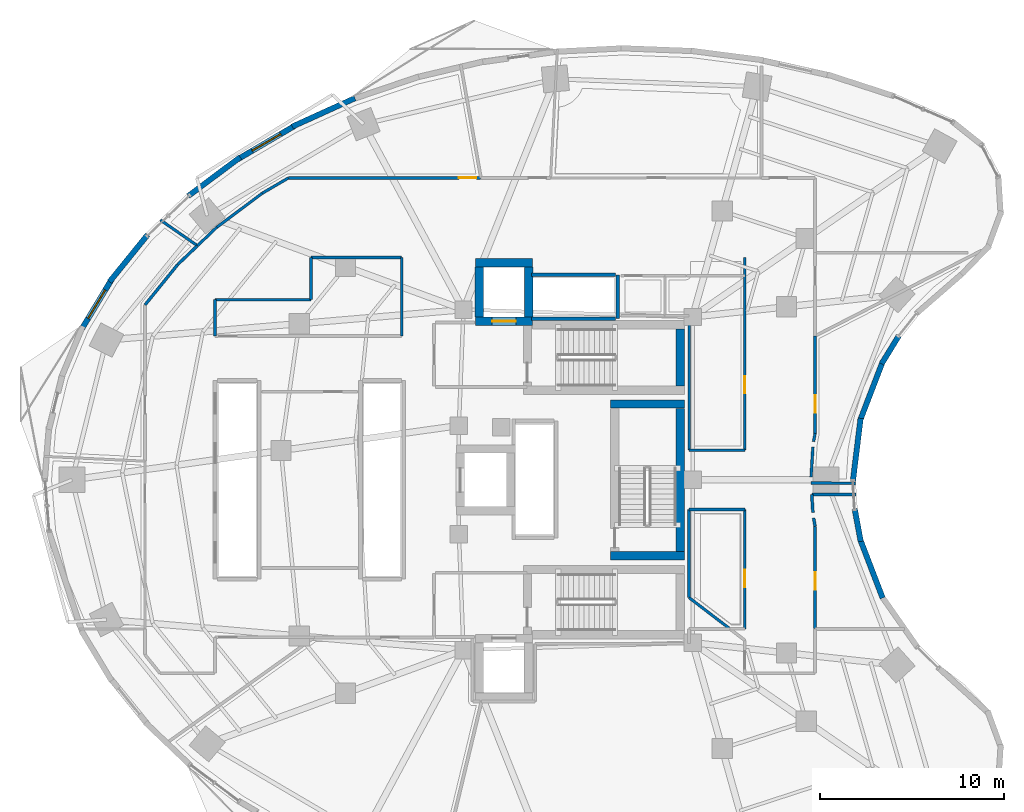
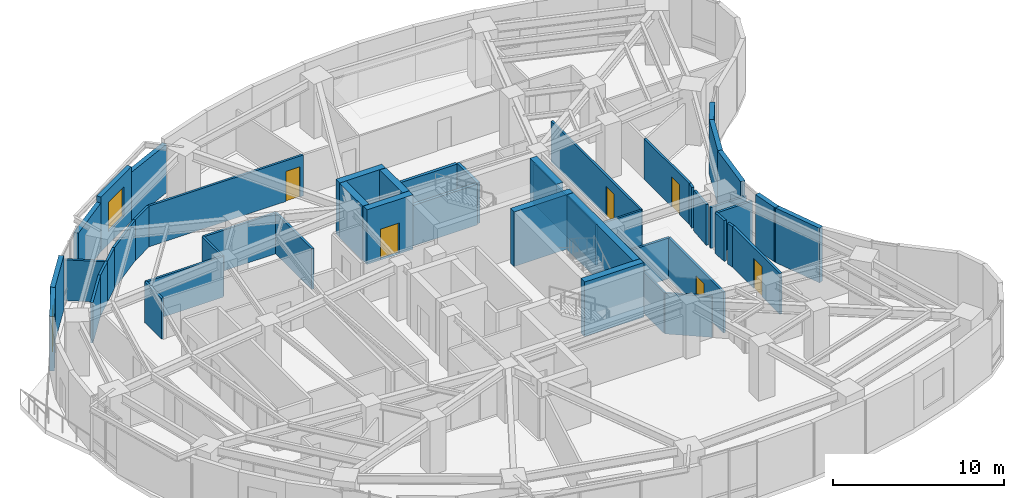
# One storey, part 10 of 15: 48 walls, 6 doors, 2 windows, 8 openings.
"""IFC4 building model written with IfcOpenShell, lengths in metres."""

from ifc_helpers import new_model, si_unit, direction, frame, frame_2d, origin, place, context, subcontext, project, spatial, rectangle, extrude, material, layer, layer_set, type_object, element, fill, save


model = new_model("IFC4")

# Units and contexts
model_context = context("Model", 3, precision=1e-05, world=origin(), true_north=direction((0.0, 1.0)))
body_context = subcontext(model_context, "Body", "Model", "MODEL_VIEW")
ifc_project = project(units=[si_unit("LENGTHUNIT", "METRE"), si_unit("AREAUNIT", "SQUARE_METRE"), si_unit("VOLUMEUNIT", "CUBIC_METRE"), si_unit("PLANEANGLEUNIT", "RADIAN"), si_unit("MASSUNIT", "GRAM", prefix="KILO")], contexts=[model_context])

# Site, building, storey
site_placement = place(None, origin())
site = spatial("IfcSite", under=ifc_project, at=site_placement, CompositionType="ELEMENT")
building_placement = place(site_placement, origin())
building = spatial("IfcBuilding", under=site, at=building_placement, Name="Korentha Bioscience Tower", CompositionType="ELEMENT")
storey_placement = place(building_placement, frame((0.0, 0.0, 34.199951171875)))
storey = spatial("IfcBuildingStorey", under=building, at=storey_placement, Name="L07", CompositionType="ELEMENT", Elevation=34.199951171875)

# Wall, opening, door
ifc_material_1 = material(Name="Double-Stud Acoustic Gypsum", Category="gypsum")
ifc_layer_1 = layer(ifc_material_1, 0.14990234375, Name="Double-Stud Acoustic Gypsum")
ifc_layer_set_1 = layer_set([ifc_layer_1], Name="Double-Stud Acoustic Gypsum (IW-L150)")
wall_type_1 = type_object("IfcWallType", Name="Acoustic Laboratory Partition Wall 150", PredefinedType="PARTITIONING", material=ifc_layer_set_1)
wall_1_placement = place(storey_placement, frame((40.389892578125, 25.389892578125, 0.0), z_axis=(0.0, 0.0, 1.0), x_axis=(0.0, -1.0, 0.0)))
wall_1 = element("IfcWall", 1, at=wall_1_placement, inside=storey, type_object=wall_type_1, Name="L07 Terrace View Refreshment Lounge 06 Entrance Wall", PredefinedType="PARTITIONING", context=body_context, shape_type="SweptSolid", body=[
    extrude(rectangle(XDim=6.48779296875, YDim=0.14990234375, at=frame_2d((3.243896484375, 0.0))), origin(), (0.0, 0.0, 1.0), 2.91015625),
])
opening_1_placement = place(wall_1_placement, frame((3.265380859375, 0.0, 0.0)))
opening_1 = element("IfcOpeningElement", 2, at=opening_1_placement, cuts=wall_1, Name="Opening ID-10R", PredefinedType="OPENING", context=body_context, shape_type="SweptSolid", body=[
    extrude(rectangle(XDim=0.949951171875, YDim=2.14990234375, at=frame_2d((0.47509765625, 1.074951171875))), frame((0.0, 0.08984375, 0.0), z_axis=(0.0, -1.0, 0.0), x_axis=(1.0, 0.0, 0.0)), (0.0, 0.0, 1.0), 0.1796875),
])
ifc_material_2 = material(Name="Phenolic Laminate Timber Core", Category="wood")
door_type_1 = type_object("IfcDoorType", Name="Laboratory Single Leaf Door 950x2150 Right", OperationType="SINGLE_SWING_RIGHT", PredefinedType="DOOR", material=ifc_material_2)
door_1_placement = place(opening_1_placement, origin())
door_1 = element("IfcDoor", 3, at=door_1_placement, inside=storey, type_object=door_type_1, Name="L07 Terrace View Refreshment Lounge 06 Door", OperationType="SINGLE_SWING_RIGHT", OverallHeight=2.14990234375, OverallWidth=0.949951171875, PredefinedType="DOOR", context=body_context, shape_type="SweptSolid", body=[
    extrude(rectangle(XDim=0.949951171875, YDim=2.14990234375, at=frame_2d((0.47509765625, 1.074951171875))), frame((0.0, 0.02490234375, 0.0), z_axis=(0.0, -1.0, 0.0), x_axis=(1.0, 0.0, 0.0)), (0.0, 0.0, 1.0), 0.050048828125),
])
fill(opening_1, door_1)

wall_2_placement = place(storey_placement, frame((44.2099609375, 29.529541015625, 0.0), z_axis=(0.0, 0.0, 1.0), x_axis=(0.0, 1.0, 0.0)))
wall_2 = element("IfcWall", 4, at=wall_2_placement, inside=storey, type_object=wall_type_1, Name="L07 Engineered Bio-Foundry Wet Lab 08 Entrance Wall", PredefinedType="PARTITIONING", context=body_context, shape_type="SweptSolid", body=[
    extrude(rectangle(XDim=5.2890625, YDim=0.14990234375, at=frame_2d((2.64453125, 0.0))), origin(), (0.0, 0.0, 1.0), 2.91015625),
])
opening_2_placement = place(wall_2_placement, frame((1.11865234375, 0.0, 0.0)))
opening_2 = element("IfcOpeningElement", 5, at=opening_2_placement, cuts=wall_2, Name="Opening ID-10R", PredefinedType="OPENING", context=body_context, shape_type="SweptSolid", body=[
    extrude(rectangle(XDim=0.949951171875, YDim=2.14990234375, at=frame_2d((0.47509765625, 1.074951171875))), frame((0.0, 0.08984375, 0.0), z_axis=(0.0, -1.0, 0.0), x_axis=(1.0, 0.0, 0.0)), (0.0, 0.0, 1.0), 0.1796875),
])
door_2_placement = place(opening_2_placement, origin())
door_2 = element("IfcDoor", 6, at=door_2_placement, inside=storey, type_object=door_type_1, Name="L07 Engineered Bio-Foundry Wet Lab 08 Door", OperationType="SINGLE_SWING_RIGHT", OverallHeight=2.14990234375, OverallWidth=0.949951171875, PredefinedType="DOOR", context=body_context, shape_type="SweptSolid", body=[
    extrude(rectangle(XDim=0.949951171875, YDim=2.14990234375, at=frame_2d((0.47509765625, 1.074951171875))), frame((0.0, 0.02490234375, 0.0), z_axis=(0.0, -1.0, 0.0), x_axis=(1.0, 0.0, 0.0)), (0.0, 0.0, 1.0), 0.050048828125),
])
fill(opening_2, door_2)

wall_3_placement = place(storey_placement, frame((26.0380859375, 43.409912109375, 0.0), z_axis=(0.0, 0.0, 1.0), x_axis=(-1.0, 0.0, 0.0)))
wall_3 = element("IfcWall", 7, at=wall_3_placement, inside=storey, type_object=wall_type_1, Name="L07 Ethics and Biosafety Briefing Room 14 Entrance Wall", PredefinedType="PARTITIONING", context=body_context, shape_type="SweptSolid", body=[
    extrude(rectangle(XDim=10.447265625, YDim=0.14990234375, at=frame_2d((5.2236328125, 0.0))), origin(), (0.0, 0.0, 1.0), 2.91015625),
])
opening_3_placement = place(wall_3_placement, frame((0.239990234375, 0.0, 0.0)))
opening_3 = element("IfcOpeningElement", 8, at=opening_3_placement, cuts=wall_3, Name="Opening ID-10R", PredefinedType="OPENING", context=body_context, shape_type="SweptSolid", body=[
    extrude(rectangle(XDim=0.949951171875, YDim=2.14990234375, at=frame_2d((0.47509765625, 1.074951171875))), frame((0.0, 0.08984375, 0.0), z_axis=(0.0, -1.0, 0.0), x_axis=(1.0, 0.0, 0.0)), (0.0, 0.0, 1.0), 0.1796875),
])
door_3_placement = place(opening_3_placement, origin())
door_3 = element("IfcDoor", 9, at=door_3_placement, inside=storey, type_object=door_type_1, Name="L07 Ethics and Biosafety Briefing Room 14 Door", OperationType="SINGLE_SWING_RIGHT", OverallHeight=2.14990234375, OverallWidth=0.949951171875, PredefinedType="DOOR", context=body_context, shape_type="SweptSolid", body=[
    extrude(rectangle(XDim=0.949951171875, YDim=2.14990234375, at=frame_2d((0.47509765625, 1.074951171875))), frame((0.0, 0.02490234375, 0.0), z_axis=(0.0, -1.0, 0.0), x_axis=(1.0, 0.0, 0.0)), (0.0, 0.0, 1.0), 0.050048828125),
])
fill(opening_3, door_3)

# Walls
wall_4_placement = place(storey_placement, frame((39.57177734375, 18.907958984375, 0.0), z_axis=(0.0, 0.0, 1.0), x_axis=(-0.794673946055, 0.607036505872, 0.0)))
element("IfcWall", 10, at=wall_4_placement, inside=storey, type_object=wall_type_1, Name="L07 Interior Partition 040", PredefinedType="PARTITIONING", context=body_context, shape_type="SweptSolid", body=[
    extrude(rectangle(XDim=2.783203125, YDim=0.14990234375, at=frame_2d((1.3916015625, 0.0))), origin(), (0.0, 0.0, 1.0), 2.91015625),
])
wall_5_placement = place(storey_placement, frame((37.360107421875, 20.597412109375, 0.0), z_axis=(0.0, 0.0, 1.0), x_axis=(0.0, 1.0, 0.0)))
element("IfcWall", 11, at=wall_5_placement, inside=storey, type_object=wall_type_1, Name="L07 Interior Partition 041", PredefinedType="PARTITIONING", context=body_context, shape_type="SweptSolid", body=[
    extrude(rectangle(XDim=4.79248046875, YDim=0.14990234375, at=frame_2d((2.396240234375, 0.0))), origin(), (0.0, 0.0, 1.0), 2.91015625),
])
wall_6_placement = place(storey_placement, frame((37.360107421875, 25.389892578125, 0.0), z_axis=(0.0, 0.0, 1.0), x_axis=(1.0, 0.0, 0.0)))
element("IfcWall", 12, at=wall_6_placement, inside=storey, type_object=wall_type_1, Name="L07 Interior Partition 042", PredefinedType="PARTITIONING", context=body_context, shape_type="SweptSolid", body=[
    extrude(rectangle(XDim=3.02978515625, YDim=0.14990234375, at=frame_2d((1.514892578125, 0.0))), origin(), (0.0, 0.0, 1.0), 2.91015625),
])
wall_7_placement = place(storey_placement, frame((46.40673828125, 26.806396484375, 0.0), z_axis=(0.0, 0.0, 1.0), x_axis=(-0.999937073851, 0.011218214594, 0.0)))
element("IfcWall", 13, at=wall_7_placement, inside=storey, type_object=wall_type_1, Name="L07 Interior Partition 047", PredefinedType="PARTITIONING", context=body_context, shape_type="SweptSolid", body=[
    extrude(rectangle(XDim=2.415771484375, YDim=0.14990234375, at=frame_2d((1.2080078125, 0.0))), origin(), (0.0, 0.0, 1.0), 2.91015625),
])
wall_8_placement = place(storey_placement, frame((43.990234375, 27.1484375, 0.0), z_axis=(0.0, 0.0, 1.0), x_axis=(0.060976688407, 0.998139190429, 0.0)))
element("IfcWall", 14, at=wall_8_placement, inside=storey, type_object=wall_type_1, Name="L07 Interior Partition 048", PredefinedType="PARTITIONING", context=body_context, shape_type="SweptSolid", body=[
    extrude(rectangle(XDim=1.637451171875, YDim=0.14990234375, at=frame_2d((0.81884765625, 0.0))), origin(), (0.0, 0.0, 1.0), 2.91015625),
])
wall_9_placement = place(storey_placement, frame((44.12646484375, 29.077880859375, 0.0), z_axis=(0.0, 0.0, 1.0), x_axis=(0.181936414242, 0.983310297502, 0.0)))
element("IfcWall", 15, at=wall_9_placement, inside=storey, type_object=wall_type_1, Name="L07 Interior Partition 049", PredefinedType="PARTITIONING", context=body_context, shape_type="SweptSolid", body=[
    extrude(rectangle(XDim=0.45751953125, YDim=0.14990234375, at=frame_2d((0.228759765625, 0.0))), origin(), (0.0, 0.0, 1.0), 2.91015625),
])
wall_10_placement = place(storey_placement, frame((15.585693359375, 43.40869140625, 0.0), z_axis=(0.0, 0.0, 1.0), x_axis=(-0.862446636904, -0.506148000582, 0.0)))
element("IfcWall", 16, at=wall_10_placement, inside=storey, type_object=wall_type_1, Name="L07 Interior Partition 062", PredefinedType="PARTITIONING", context=body_context, shape_type="SweptSolid", body=[
    extrude(rectangle(XDim=1.652099609375, YDim=0.14990234375, at=frame_2d((0.826171875, 0.0))), origin(), (0.0, 0.0, 1.0), 2.91015625),
])
wall_11_placement = place(storey_placement, frame((14.159912109375, 42.57177734375, 0.0), z_axis=(0.0, 0.0, 1.0), x_axis=(-0.800808090092, -0.598921032227, 0.0)))
element("IfcWall", 17, at=wall_11_placement, inside=storey, type_object=wall_type_1, Name="L07 Interior Partition 063", PredefinedType="PARTITIONING", context=body_context, shape_type="SweptSolid", body=[
    extrude(rectangle(XDim=3.078857421875, YDim=0.14990234375, at=frame_2d((1.53955078125, 0.0))), origin(), (0.0, 0.0, 1.0), 2.91015625),
])
wall_12_placement = place(storey_placement, frame((11.693359375, 40.72705078125, 0.0), z_axis=(0.0, 0.0, 1.0), x_axis=(-0.723614682185, -0.690204166697, 0.0)))
element("IfcWall", 18, at=wall_12_placement, inside=storey, type_object=wall_type_1, Name="L07 Interior Partition 064", PredefinedType="PARTITIONING", context=body_context, shape_type="SweptSolid", body=[
    extrude(rectangle(XDim=1.4541015625, YDim=0.14990234375, at=frame_2d((0.72705078125, 0.0))), origin(), (0.0, 0.0, 1.0), 2.91015625),
])
wall_13_placement = place(storey_placement, frame((10.64111328125, 39.723388671875, 0.0), z_axis=(0.0, 0.0, 1.0), x_axis=(-0.821561492386, 0.570119912149, 0.0)))
element("IfcWall", 19, at=wall_13_placement, inside=storey, type_object=wall_type_1, Name="L07 Interior Partition 065", PredefinedType="PARTITIONING", context=body_context, shape_type="SweptSolid", body=[
    extrude(rectangle(XDim=2.45458984375, YDim=0.14990234375, at=frame_2d((1.227294921875, 0.0))), origin(), (0.0, 0.0, 1.0), 2.91015625),
])
wall_14_placement = place(storey_placement, frame((16.81005859375, 39.090087890625, 0.0), z_axis=(0.0, 0.0, 1.0), x_axis=(1.0, 0.0, 0.0)))
element("IfcWall", 20, at=wall_14_placement, inside=storey, type_object=wall_type_1, Name="L07 Interior Partition 066", PredefinedType="PARTITIONING", context=body_context, shape_type="SweptSolid", body=[
    extrude(rectangle(XDim=4.929931640625, YDim=0.14990234375, at=frame_2d((2.46484375, 0.0))), origin(), (0.0, 0.0, 1.0), 2.91015625),
])
wall_15_placement = place(storey_placement, frame((21.739990234375, 39.090087890625, 0.0), z_axis=(0.0, 0.0, 1.0), x_axis=(0.0, -1.0, 0.0)))
element("IfcWall", 21, at=wall_15_placement, inside=storey, type_object=wall_type_1, Name="L07 Interior Partition 067", PredefinedType="PARTITIONING", context=body_context, shape_type="SweptSolid", body=[
    extrude(rectangle(XDim=4.280029296875, YDim=0.14990234375, at=frame_2d((2.14013671875, 0.0))), origin(), (0.0, 0.0, 1.0), 2.91015625),
])
wall_16_placement = place(storey_placement, frame((11.590087890625, 34.81005859375, 0.0), z_axis=(0.0, 0.0, 1.0), x_axis=(0.0, 1.0, 0.0)))
element("IfcWall", 22, at=wall_16_placement, inside=storey, type_object=wall_type_1, Name="L07 Interior Partition 068", PredefinedType="PARTITIONING", context=body_context, shape_type="SweptSolid", body=[
    extrude(rectangle(XDim=1.97998046875, YDim=0.14990234375, at=frame_2d((0.989990234375, 0.0))), origin(), (0.0, 0.0, 1.0), 2.91015625),
])
wall_17_placement = place(storey_placement, frame((11.590087890625, 36.7900390625, 0.0), z_axis=(0.0, 0.0, 1.0), x_axis=(1.0, 0.0, 0.0)))
element("IfcWall", 23, at=wall_17_placement, inside=storey, type_object=wall_type_1, Name="L07 Interior Partition 069", PredefinedType="PARTITIONING", context=body_context, shape_type="SweptSolid", body=[
    extrude(rectangle(XDim=5.2099609375, YDim=0.14990234375, at=frame_2d((2.60498046875, 0.0))), origin(), (0.0, 0.0, 1.0), 2.91015625),
])
wall_18_placement = place(storey_placement, frame((16.81005859375, 36.800048828125, 0.0), z_axis=(0.0, 0.0, 1.0), x_axis=(0.0, 1.0, 0.0)))
element("IfcWall", 24, at=wall_18_placement, inside=storey, type_object=wall_type_1, Name="L07 Interior Partition 070", PredefinedType="PARTITIONING", context=body_context, shape_type="SweptSolid", body=[
    extrude(rectangle(XDim=2.2900390625, YDim=0.14990234375, at=frame_2d((1.14501953125, 0.0))), origin(), (0.0, 0.0, 1.0), 2.91015625),
])

# Wall, opening, door
ifc_material_3 = material(Name="Insulated Aluminium Honeycomb Panel", Category="aluminium")
ifc_layer_2 = layer(ifc_material_3, 0.139892578125, Name="Insulated Aluminium Honeycomb Panel")
ifc_layer_set_2 = layer_set([ifc_layer_2], Name="Insulated Aluminium Honeycomb Panel (IW-F60)")
wall_type_2 = type_object("IfcWallType", Name="Cleanroom Flush Metal Panel Partition 140", PredefinedType="PARTITIONING", material=ifc_layer_set_2)
wall_19_placement = place(storey_placement, frame((40.389892578125, 39.090087890625, 0.0), z_axis=(0.0, 0.0, 1.0), x_axis=(0.0, -1.0, 0.0)))
wall_19 = element("IfcWall", 25, at=wall_19_placement, inside=storey, type_object=wall_type_2, Name="L07 Microfluidics Biochip Cleanroom 10 Entrance Wall", PredefinedType="PARTITIONING", context=body_context, shape_type="SweptSolid", body=[
    extrude(rectangle(XDim=10.47998046875, YDim=0.139892578125, at=frame_2d((5.239990234375, 0.0))), origin(), (0.0, 0.0, 1.0), 2.91015625),
])
opening_4_placement = place(wall_19_placement, frame((6.447265625, 0.0, 0.0)))
opening_4 = element("IfcOpeningElement", 26, at=opening_4_placement, cuts=wall_19, Name="Opening ID-10R", PredefinedType="OPENING", context=body_context, shape_type="SweptSolid", body=[
    extrude(rectangle(XDim=0.949951171875, YDim=2.14990234375, at=frame_2d((0.47509765625, 1.074951171875))), frame((0.0, 0.0849609375, 0.0), z_axis=(0.0, -1.0, 0.0), x_axis=(1.0, 0.0, 0.0)), (0.0, 0.0, 1.0), 0.169677734375),
])
door_4_placement = place(opening_4_placement, origin())
door_4 = element("IfcDoor", 27, at=door_4_placement, inside=storey, type_object=door_type_1, Name="L07 Microfluidics Biochip Cleanroom 10 Door", OperationType="SINGLE_SWING_RIGHT", OverallHeight=2.14990234375, OverallWidth=0.949951171875, PredefinedType="DOOR", context=body_context, shape_type="SweptSolid", body=[
    extrude(rectangle(XDim=0.949951171875, YDim=2.14990234375, at=frame_2d((0.47509765625, 1.074951171875))), frame((0.0, 0.02490234375, 0.0), z_axis=(0.0, -1.0, 0.0), x_axis=(1.0, 0.0, 0.0)), (0.0, 0.0, 1.0), 0.050048828125),
])
fill(opening_4, door_4)

# Walls
wall_20_placement = place(storey_placement, frame((40.389892578125, 28.610107421875, 0.0), z_axis=(0.0, 0.0, 1.0), x_axis=(-1.0, 0.0, 0.0)))
element("IfcWall", 28, at=wall_20_placement, inside=storey, type_object=wall_type_2, Name="L07 Interior Partition 055", PredefinedType="PARTITIONING", context=body_context, shape_type="SweptSolid", body=[
    extrude(rectangle(XDim=3.02978515625, YDim=0.139892578125, at=frame_2d((1.514892578125, 0.0))), origin(), (0.0, 0.0, 1.0), 2.91015625),
])
wall_21_placement = place(storey_placement, frame((37.360107421875, 28.610107421875, 0.0), z_axis=(0.0, 0.0, 1.0), x_axis=(0.0, 1.0, 0.0)))
element("IfcWall", 29, at=wall_21_placement, inside=storey, type_object=wall_type_2, Name="L07 Interior Partition 056", PredefinedType="PARTITIONING", context=body_context, shape_type="SweptSolid", body=[
    extrude(rectangle(XDim=7.289794921875, YDim=0.139892578125, at=frame_2d((3.64501953125, 0.0))), origin(), (0.0, 0.0, 1.0), 2.91015625),
])

# Wall, opening, door
ifc_material_4 = material(Name="Gypsum-Clad Steel Stud", Category="steel")
ifc_layer_3 = layer(ifc_material_4, 0.159912109375, Name="Gypsum-Clad Steel Stud")
ifc_layer_set_3 = layer_set([ifc_layer_3], Name="Gypsum-Clad Steel Stud (IW-C160)")
wall_type_3 = type_object("IfcWallType", Name="Fire-Rated Corridor Partition Wall 160", PredefinedType="PARTITIONING", material=ifc_layer_set_3)
wall_22_placement = place(storey_placement, frame((44.2099609375, 18.907958984375, 0.0), z_axis=(0.0, 0.0, 1.0), x_axis=(0.0, 1.0, 0.0)))
wall_22 = element("IfcWall", 30, at=wall_22_placement, inside=storey, type_object=wall_type_3, Name="L07 Instrument Calibration Workshop 07 Entrance Wall", PredefinedType="PARTITIONING", context=body_context, shape_type="SweptSolid", body=[
    extrude(rectangle(XDim=5.5625, YDim=0.159912109375, at=frame_2d((2.78125, 0.0))), origin(), (0.0, 0.0, 1.0), 2.91015625),
])
opening_5_placement = place(wall_22_placement, frame((2.11376953125, 0.0, 0.0)))
opening_5 = element("IfcOpeningElement", 31, at=opening_5_placement, cuts=wall_22, Name="Opening ID-10L", PredefinedType="OPENING", context=body_context, shape_type="SweptSolid", body=[
    extrude(rectangle(XDim=0.949951171875, YDim=2.14990234375, at=frame_2d((0.47509765625, 1.074951171875))), frame((0.0, 0.0947265625, 0.0), z_axis=(0.0, -1.0, 0.0), x_axis=(1.0, 0.0, 0.0)), (0.0, 0.0, 1.0), 0.189697265625),
])
door_type_2 = type_object("IfcDoorType", Name="Laboratory Single Leaf Door 950x2150 Left", OperationType="SINGLE_SWING_LEFT", PredefinedType="DOOR", material=ifc_material_2)
door_5_placement = place(opening_5_placement, origin())
door_5 = element("IfcDoor", 32, at=door_5_placement, inside=storey, type_object=door_type_2, Name="L07 Instrument Calibration Workshop 07 Door", OperationType="SINGLE_SWING_LEFT", OverallHeight=2.14990234375, OverallWidth=0.949951171875, PredefinedType="DOOR", context=body_context, shape_type="SweptSolid", body=[
    extrude(rectangle(XDim=0.949951171875, YDim=2.14990234375, at=frame_2d((0.47509765625, 1.074951171875))), frame((0.0, 0.02490234375, 0.0), z_axis=(0.0, -1.0, 0.0), x_axis=(1.0, 0.0, 0.0)), (0.0, 0.0, 1.0), 0.050048828125),
])
fill(opening_5, door_5)

# Walls
wall_23_placement = place(storey_placement, frame((44.209716796875, 24.47216796875, 0.0), z_axis=(0.0, 0.0, 1.0), x_axis=(-0.181936414242, 0.983310297502, 0.0)))
element("IfcWall", 33, at=wall_23_placement, inside=storey, type_object=wall_type_3, Name="L07 Interior Partition 044", PredefinedType="PARTITIONING", context=body_context, shape_type="SweptSolid", body=[
    extrude(rectangle(XDim=0.45751953125, YDim=0.159912109375, at=frame_2d((0.228759765625, 0.0))), origin(), (0.0, 0.0, 1.0), 2.91015625),
])
wall_24_placement = place(storey_placement, frame((44.090087890625, 25.217041015625, 0.0), z_axis=(0.0, 0.0, 1.0), x_axis=(-0.060862570451, 0.998146155389, 0.0)))
element("IfcWall", 34, at=wall_24_placement, inside=storey, type_object=wall_type_3, Name="L07 Interior Partition 045", PredefinedType="PARTITIONING", context=body_context, shape_type="SweptSolid", body=[
    extrude(rectangle(XDim=0.982666015625, YDim=0.159912109375, at=frame_2d((0.4912109375, 0.0))), origin(), (0.0, 0.0, 1.0), 2.91015625),
])
wall_25_placement = place(storey_placement, frame((44.0302734375, 26.197998046875, 0.0), z_axis=(0.0, 0.0, 1.0), x_axis=(1.0, 0.0, 0.0)))
element("IfcWall", 35, at=wall_25_placement, inside=storey, type_object=wall_type_3, Name="L07 Interior Partition 046", PredefinedType="PARTITIONING", context=body_context, shape_type="SweptSolid", body=[
    extrude(rectangle(XDim=2.413818359375, YDim=0.159912109375, at=frame_2d((1.20703125, 0.0))), origin(), (0.0, 0.0, 1.0), 2.91015625),
])
wall_26_placement = place(storey_placement, frame((10.6337890625, 39.716552734375, 0.0), z_axis=(0.0, 0.0, 1.0), x_axis=(-0.723701031319, -0.690113626345, 0.0)))
element("IfcWall", 36, at=wall_26_placement, inside=storey, type_object=wall_type_3, Name="L07 Interior Partition 071", PredefinedType="PARTITIONING", context=body_context, shape_type="SweptSolid", body=[
    extrude(rectangle(XDim=1.4755859375, YDim=0.159912109375, at=frame_2d((0.73779296875, 0.0))), origin(), (0.0, 0.0, 1.0), 2.91015625),
])
wall_27_placement = place(storey_placement, frame((9.565185546875, 38.697265625, 0.0), z_axis=(0.0, 0.0, 1.0), x_axis=(-0.629270515505, -0.777186347227, 0.0)))
element("IfcWall", 37, at=wall_27_placement, inside=storey, type_object=wall_type_3, Name="L07 Interior Partition 072", PredefinedType="PARTITIONING", context=body_context, shape_type="SweptSolid", body=[
    extrude(rectangle(XDim=2.8173828125, YDim=0.159912109375, at=frame_2d((1.40869140625, 0.0))), origin(), (0.0, 0.0, 1.0), 2.91015625),
])

# Wall, opening, window
ifc_material_5 = material(Name="Honed Limestone Precast Concrete C40", Category="masonry")
ifc_layer_4 = layer(ifc_material_5, 0.300048828125, Name="Honed Limestone Precast Concrete C40")
ifc_layer_set_4 = layer_set([ifc_layer_4], Name="Honed Limestone Precast Concrete C40 (EW-ST300)")
wall_type_4 = type_object("IfcWallType", Name="Honed Limestone Cavity Spandrel Wall 300", PredefinedType="STANDARD", material=ifc_layer_set_4)
wall_28_placement = place(storey_placement, frame((15.943603515625, 46.25048828125, 0.0), z_axis=(0.0, 0.0, 1.0), x_axis=(-0.862473134325, -0.506102847817, 0.0)))
wall_28 = element("IfcWall", 38, at=wall_28_placement, inside=storey, type_object=wall_type_4, Name="L07 Honed Limestone Spandrel Wall 11", PredefinedType="STANDARD", context=body_context, shape_type="SweptSolid", body=[
    extrude(rectangle(XDim=3.59521484375, YDim=0.300048828125, at=frame_2d((1.797607421875, 0.0))), origin(), (0.0, 0.0, 1.0), 3.900146484375),
])
opening_6_placement = place(wall_28_placement, frame((0.897705078125, 0.0, 0.89990234375)))
opening_6 = element("IfcOpeningElement", 39, at=opening_6_placement, cuts=wall_28, Name="Opening WN-01", PredefinedType="OPENING", context=body_context, shape_type="SweptSolid", body=[
    extrude(rectangle(XDim=1.800048828125, YDim=2.10009765625, at=frame_2d((0.89990234375, 1.050048828125))), frame((0.0, 0.1650390625, 0.0), z_axis=(0.0, -1.0, 0.0), x_axis=(1.0, 0.0, 0.0)), (0.0, 0.0, 1.0), 0.329833984375),
])
ifc_material_6 = material(Name="Thermally Broken Aluminium Triple Glazing", Category="aluminium")
window_type = type_object("IfcWindowType", Name="Triple-Glazed Fixed Bioscience Window 1800x2100", PartitioningType="SINGLE_PANEL", PredefinedType="WINDOW", material=ifc_material_6)
window_1_placement = place(opening_6_placement, origin())
window_1 = element("IfcWindow", 40, at=window_1_placement, inside=storey, type_object=window_type, Name="L07 Facade Window 11", OverallHeight=2.10009765625, OverallWidth=1.800048828125, PartitioningType="SINGLE_PANEL", PredefinedType="WINDOW", context=body_context, shape_type="SweptSolid", body=[
    extrude(rectangle(XDim=1.800048828125, YDim=2.10009765625, at=frame_2d((0.89990234375, 1.050048828125))), frame((0.0, 0.030029296875, 0.0), z_axis=(0.0, -1.0, 0.0), x_axis=(1.0, 0.0, 0.0)), (0.0, 0.0, 1.0), 0.06005859375),
])
fill(opening_6, window_1)

wall_29_placement = place(storey_placement, frame((5.975341796875, 37.886474609375, 0.0), z_axis=(0.0, 0.0, 1.0), x_axis=(-0.516447962267, -0.856318575222, 0.0)))
wall_29 = element("IfcWall", 41, at=wall_29_placement, inside=storey, type_object=wall_type_4, Name="L07 Honed Limestone Spandrel Wall 15", PredefinedType="STANDARD", context=body_context, shape_type="SweptSolid", body=[
    extrude(rectangle(XDim=3.142822265625, YDim=0.300048828125, at=frame_2d((1.5712890625, 0.0))), origin(), (0.0, 0.0, 1.0), 3.900146484375),
])
opening_7_placement = place(wall_29_placement, frame((0.67138671875, 0.0, 0.89990234375)))
opening_7 = element("IfcOpeningElement", 42, at=opening_7_placement, cuts=wall_29, Name="Opening WN-01", PredefinedType="OPENING", context=body_context, shape_type="SweptSolid", body=[
    extrude(rectangle(XDim=1.800048828125, YDim=2.10009765625, at=frame_2d((0.89990234375, 1.050048828125))), frame((0.0, 0.1650390625, 0.0), z_axis=(0.0, -1.0, 0.0), x_axis=(1.0, 0.0, 0.0)), (0.0, 0.0, 1.0), 0.329833984375),
])
window_2_placement = place(opening_7_placement, origin())
window_2 = element("IfcWindow", 43, at=window_2_placement, inside=storey, type_object=window_type, Name="L07 Facade Window 15", OverallHeight=2.10009765625, OverallWidth=1.800048828125, PartitioningType="SINGLE_PANEL", PredefinedType="WINDOW", context=body_context, shape_type="SweptSolid", body=[
    extrude(rectangle(XDim=1.800048828125, YDim=2.10009765625, at=frame_2d((0.89990234375, 1.050048828125))), frame((0.0, 0.030029296875, 0.0), z_axis=(0.0, -1.0, 0.0), x_axis=(1.0, 0.0, 0.0)), (0.0, 0.0, 1.0), 0.06005859375),
])
fill(opening_7, window_2)

# Walls
wall_30_placement = place(storey_placement, frame((19.201416015625, 47.7431640625, 0.0), z_axis=(0.0, 0.0, 1.0), x_axis=(-0.910623406862, -0.413237233166, 0.0)))
element("IfcWall", 44, at=wall_30_placement, inside=storey, type_object=wall_type_4, Name="L07 Limestone Perimeter Closure Wall 10", PredefinedType="STANDARD", context=body_context, shape_type="SweptSolid", body=[
    extrude(rectangle(XDim=3.73974609375, YDim=0.300048828125, at=frame_2d((1.869873046875, 0.0))), origin(), (0.0, 0.0, 1.0), 3.469970703125),
])
wall_31_placement = place(storey_placement, frame((12.96142578125, 44.53515625, 0.0), z_axis=(0.0, 0.0, 1.0), x_axis=(-0.800823020995, -0.598901067827, 0.0)))
element("IfcWall", 45, at=wall_31_placement, inside=storey, type_object=wall_type_4, Name="L07 Limestone Perimeter Closure Wall 12", PredefinedType="STANDARD", context=body_context, shape_type="SweptSolid", body=[
    extrude(rectangle(XDim=3.520751953125, YDim=0.300048828125, at=frame_2d((1.76025390625, 0.0))), origin(), (0.0, 0.0, 1.0), 3.469970703125),
])
wall_32_placement = place(storey_placement, frame((7.934326171875, 40.322509765625, 0.0), z_axis=(0.0, 0.0, 1.0), x_axis=(-0.629221727718, -0.777225847079, 0.0)))
element("IfcWall", 46, at=wall_32_placement, inside=storey, type_object=wall_type_4, Name="L07 Limestone Perimeter Closure Wall 14", PredefinedType="STANDARD", context=body_context, shape_type="SweptSolid", body=[
    extrude(rectangle(XDim=3.28759765625, YDim=0.300048828125, at=frame_2d((1.643798828125, 0.0))), origin(), (0.0, 0.0, 1.0), 3.900146484375),
])
wall_33_placement = place(storey_placement, frame((47.8837890625, 20.577392578125, 0.0), z_axis=(0.0, 0.0, 1.0), x_axis=(-0.358344570513, 0.933589400531, 0.0)))
element("IfcWall", 47, at=wall_33_placement, inside=storey, type_object=wall_type_4, Name="L07 Limestone Perimeter Closure Wall 46", PredefinedType="STANDARD", context=body_context, shape_type="SweptSolid", body=[
    extrude(rectangle(XDim=3.4296875, YDim=0.300048828125, at=frame_2d((1.71484375, 0.0))), origin(), (0.0, 0.0, 1.0), 3.900146484375),
])
wall_34_placement = place(storey_placement, frame((46.691162109375, 23.650390625, 0.0), z_axis=(0.0, 0.0, 1.0), x_axis=(-0.182230271073, 0.983255881399, 0.0)))
element("IfcWall", 48, at=wall_34_placement, inside=storey, type_object=wall_type_4, Name="L07 Limestone Perimeter Closure Wall 48", PredefinedType="STANDARD", context=body_context, shape_type="SweptSolid", body=[
    extrude(rectangle(XDim=1.7978515625, YDim=0.300048828125, at=frame_2d((0.89892578125, 0.0))), origin(), (0.0, 0.0, 1.0), 3.900146484375),
])
for number, where, z_axis, x_axis, name in (
    (49, (46.26708984375, 26.937744140625, 0.0), (0.0, 0.0, 1.0), (0.121870386032, 0.992546023622, 0.0), "L07 Limestone Perimeter Closure Wall 50"),
    (50, (46.65478515625, 30.220703125, 0.0), (0.0, 0.0, 1.0), (0.358344570513, 0.933589400531, 0.0), "L07 Limestone Perimeter Closure Wall 52"),
):
    element("IfcWall", number, at=place(storey_placement, frame(where, z_axis=z_axis, x_axis=x_axis)), inside=storey, type_object=wall_type_4, Name=name, PredefinedType="STANDARD", context=body_context, shape_type="SweptSolid", body=[
        extrude(rectangle(XDim=3.4296875, YDim=0.300048828125, at=frame_2d((1.71484375, 0.0))), origin(), (0.0, 0.0, 1.0), 3.900146484375),
    ])
wall_35_placement = place(storey_placement, frame((47.82470703125, 33.302734375, 0.0), z_axis=(0.0, 0.0, 1.0), x_axis=(0.522520662875, 0.852626622191, 0.0)))
element("IfcWall", 51, at=wall_35_placement, inside=storey, type_object=wall_type_4, Name="L07 Limestone Perimeter Closure Wall 54", PredefinedType="STANDARD", context=body_context, shape_type="SweptSolid", body=[
    extrude(rectangle(XDim=1.7978515625, YDim=0.300048828125, at=frame_2d((0.89892578125, 0.0))), origin(), (0.0, 0.0, 1.0), 3.900146484375),
])
ifc_material_7 = material(Name="Autoclaved Aerated Concrete Block C25", Category="concrete")
ifc_layer_5 = layer(ifc_material_7, 0.199951171875, Name="Autoclaved Aerated Concrete Block C25")
ifc_layer_set_5 = layer_set([ifc_layer_5], Name="Autoclaved Aerated Concrete Block C25 (IW-S200)")
wall_type_5 = type_object("IfcWallType", Name="Lift and Riser Shaft Enclosure Wall 200", PredefinedType="PARTITIONING", material=ifc_layer_set_5)
wall_36_placement = place(storey_placement, frame((33.489990234375, 35.760009765625, 0.0), z_axis=(0.0, 0.0, 1.0), x_axis=(0.0, 1.0, 0.0)))
element("IfcWall", 52, at=wall_36_placement, inside=storey, type_object=wall_type_5, Name="L07 Lift Bank OBS Shaft Wall +X", PredefinedType="PARTITIONING", context=body_context, shape_type="SweptSolid", body=[
    extrude(rectangle(XDim=2.3798828125, YDim=0.199951171875, at=frame_2d((1.18994140625, 0.0))), origin(), (0.0, 0.0, 1.0), 2.91015625),
])
for number, where, z_axis, x_axis, name in (
    (53, (28.800048828125, 35.760009765625, 0.0), (0.0, 0.0, 1.0), (1.0, 0.0, 0.0), "L07 Lift Bank OBS Shaft Wall -Y"),
    (54, (28.800048828125, 38.139892578125, 0.0), (0.0, 0.0, 1.0), (1.0, 0.0, 0.0), "L07 Lift Bank OBS Shaft Wall +Y"),
):
    element("IfcWall", number, at=place(storey_placement, frame(where, z_axis=z_axis, x_axis=x_axis)), inside=storey, type_object=wall_type_5, Name=name, PredefinedType="PARTITIONING", context=body_context, shape_type="SweptSolid", body=[
        extrude(rectangle(XDim=4.570068359375, YDim=0.199951171875, at=frame_2d((2.28515625, 0.0))), origin(), (0.0, 0.0, 1.0), 2.91015625),
    ])
ifc_material_8 = material(Name="Concrete C80", Category="concrete")
ifc_layer_6 = layer(ifc_material_8, 0.449951171875, Name="Concrete C80")
ifc_layer_set_6 = layer_set([ifc_layer_6], Name="Concrete C80 (CW-C80)")
wall_type_6 = type_object("IfcWallType", Name="Lower Core Shear Wall 450", PredefinedType="SHEAR", material=ifc_layer_set_6)
wall_37_placement = place(storey_placement, frame((36.875, 32.110107421875, 0.0), z_axis=(0.0, 0.0, 1.0), x_axis=(0.0, 1.0, 0.0)))
element("IfcWall", 55, at=wall_37_placement, inside=storey, type_object=wall_type_6, Name="L07 Core Shear Wall ST1-E", PredefinedType="SHEAR", context=body_context, shape_type="SweptSolid", body=[
    extrude(rectangle(XDim=3.079833984375, YDim=0.449951171875, at=frame_2d((1.5400390625, 0.0))), origin(), (0.0, 0.0, 1.0), 3.900146484375),
])
for number, where, z_axis, x_axis, name in (
    (56, (33.10009765625, 31.125, 0.0), (0.0, 0.0, 1.0), (1.0, 0.0, 0.0), "L07 Core Shear Wall ST3-N"),
    (57, (33.10009765625, 22.875, 0.0), (0.0, 0.0, 1.0), (1.0, 0.0, 0.0), "L07 Core Shear Wall ST3-S"),
):
    element("IfcWall", number, at=place(storey_placement, frame(where, z_axis=z_axis, x_axis=x_axis)), inside=storey, type_object=wall_type_6, Name=name, PredefinedType="SHEAR", context=body_context, shape_type="SweptSolid", body=[
        extrude(rectangle(XDim=4.0, YDim=0.449951171875, at=frame_2d((2.0, 0.0))), origin(), (0.0, 0.0, 1.0), 3.900146484375),
    ])
wall_38_placement = place(storey_placement, frame((36.875, 23.110107421875, 0.0), z_axis=(0.0, 0.0, 1.0), x_axis=(0.0, 1.0, 0.0)))
element("IfcWall", 58, at=wall_38_placement, inside=storey, type_object=wall_type_6, Name="L07 Core Shear Wall ST3-E", PredefinedType="SHEAR", context=body_context, shape_type="SweptSolid", body=[
    extrude(rectangle(XDim=7.77978515625, YDim=0.449951171875, at=frame_2d((3.889892578125, 0.0))), origin(), (0.0, 0.0, 1.0), 3.900146484375),
])
wall_39_placement = place(storey_placement, frame((25.75, 38.800048828125, 0.0), z_axis=(0.0, 0.0, 1.0), x_axis=(1.0, 0.0, 0.0)))
element("IfcWall", 59, at=wall_39_placement, inside=storey, type_object=wall_type_6, Name="L07 Core Shear Wall FFL2-N", PredefinedType="SHEAR", context=body_context, shape_type="SweptSolid", body=[
    extrude(rectangle(XDim=3.10009765625, YDim=0.449951171875, at=frame_2d((1.550048828125, 0.0))), origin(), (0.0, 0.0, 1.0), 3.900146484375),
])

# Wall, opening, door
wall_40_placement = place(storey_placement, frame((25.75, 35.6201171875, 0.0), z_axis=(0.0, 0.0, 1.0), x_axis=(1.0, 0.0, 0.0)))
wall_40 = element("IfcWall", 60, at=wall_40_placement, inside=storey, type_object=wall_type_6, Name="L07 Core Shear Wall FFL2-S", PredefinedType="SHEAR", context=body_context, shape_type="SweptSolid", body=[
    extrude(rectangle(XDim=3.10009765625, YDim=0.449951171875, at=frame_2d((1.550048828125, 0.0))), origin(), (0.0, 0.0, 1.0), 3.900146484375),
])
opening_8_placement = place(wall_40_placement, frame((0.89990234375, 0.0, 0.0)))
opening_8 = element("IfcOpeningElement", 61, at=opening_8_placement, cuts=wall_40, Name="Opening LD-13", PredefinedType="OPENING", context=body_context, shape_type="SweptSolid", body=[
    extrude(rectangle(XDim=1.300048828125, YDim=2.199951171875, at=frame_2d((0.64990234375, 1.10009765625))), frame((0.0, 0.23974609375, 0.0), z_axis=(0.0, -1.0, 0.0), x_axis=(1.0, 0.0, 0.0)), (0.0, 0.0, 1.0), 0.479736328125),
])
ifc_material_9 = material(Name="Brushed Stainless Steel 316", Category="steel")
door_type_3 = type_object("IfcDoorType", Name="Service & Firefighting Lift Landing Door 1300x2300", OperationType="DOUBLE_DOOR_SLIDING", PredefinedType="DOOR", material=ifc_material_9)
door_6_placement = place(opening_8_placement, origin())
door_6 = element("IfcDoor", 62, at=door_6_placement, inside=storey, type_object=door_type_3, Name="L07 FFL-2 Sliding Lift Landing Door", OperationType="DOUBLE_DOOR_SLIDING", OverallHeight=2.199951171875, OverallWidth=1.300048828125, PredefinedType="DOOR", context=body_context, shape_type="SweptSolid", body=[
    extrude(rectangle(XDim=1.300048828125, YDim=2.199951171875, at=frame_2d((0.64990234375, 1.10009765625))), frame((0.0, 0.02490234375, 0.0), z_axis=(0.0, -1.0, 0.0), x_axis=(1.0, 0.0, 0.0)), (0.0, 0.0, 1.0), 0.050048828125),
])
fill(opening_8, door_6)

# Walls
for number, where, z_axis, x_axis, name in (
    (63, (25.949951171875, 35.860107421875, 0.0), (0.0, 0.0, 1.0), (0.0, 1.0, 0.0), "L07 Core Shear Wall FFL2-W"),
    (64, (28.64990234375, 35.860107421875, 0.0), (0.0, 0.0, 1.0), (0.0, 1.0, 0.0), "L07 Core Shear Wall FFL2-E"),
):
    element("IfcWall", number, at=place(storey_placement, frame(where, z_axis=z_axis, x_axis=x_axis)), inside=storey, type_object=wall_type_6, Name=name, PredefinedType="SHEAR", context=body_context, shape_type="SweptSolid", body=[
        extrude(rectangle(XDim=2.699951171875, YDim=0.449951171875, at=frame_2d((1.35009765625, 0.0))), origin(), (0.0, 0.0, 1.0), 3.900146484375),
    ])

save(model, "model.ifc")
